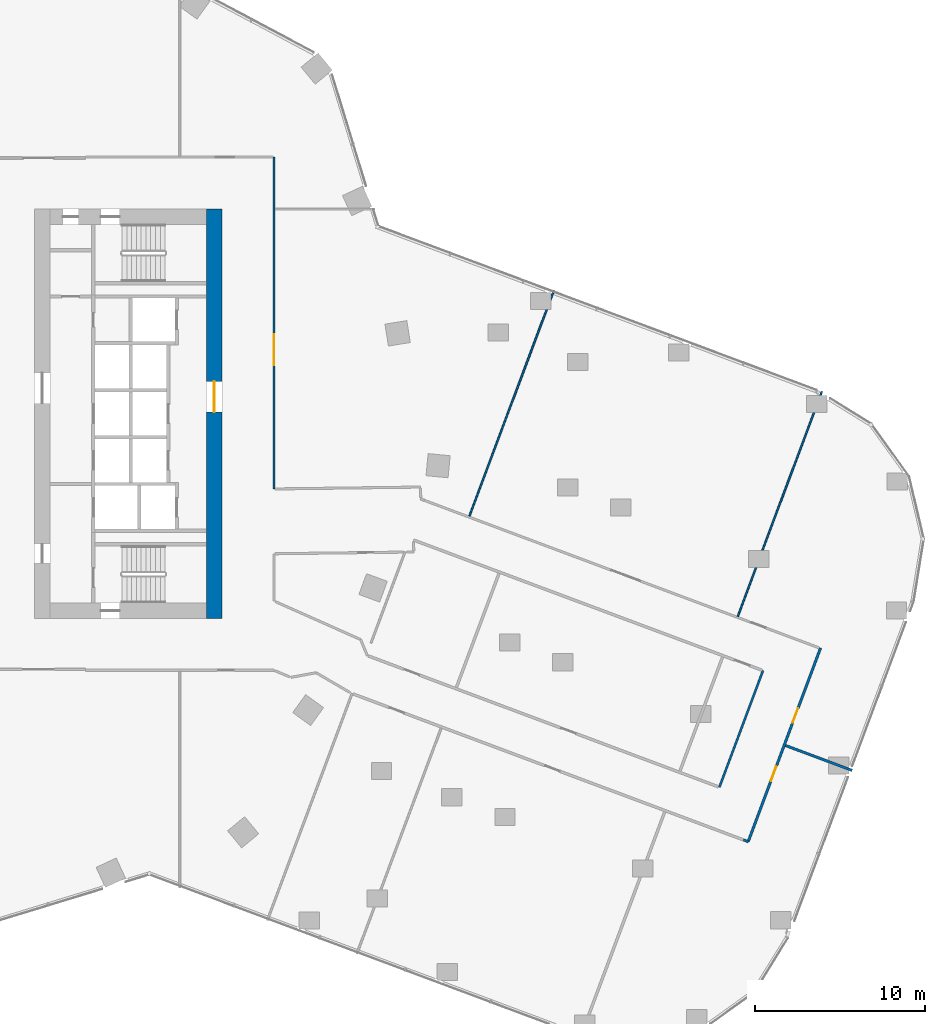
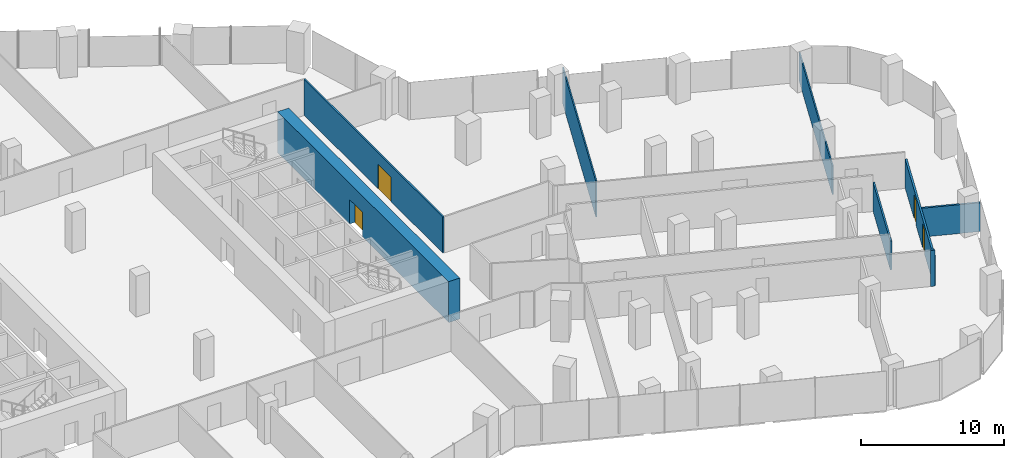
# One storey, part 27 of 31: 8 walls, 4 doors, 4 openings.
"""IFC4 building model written with IfcOpenShell, lengths in metres."""

from ifc_helpers import new_model, si_unit, direction, frame, frame_2d, origin, place, context, subcontext, project, spatial, rectangle, extrude, material, layer, layer_set, type_object, element, fill, save


model = new_model("IFC4")

# Units and contexts
model_context = context("Model", 3, precision=1e-05, world=origin(), true_north=direction((0.0, 1.0)))
body_context = subcontext(model_context, "Body", "Model", "MODEL_VIEW")
ifc_project = project(units=[si_unit("LENGTHUNIT", "METRE"), si_unit("AREAUNIT", "SQUARE_METRE"), si_unit("VOLUMEUNIT", "CUBIC_METRE"), si_unit("PLANEANGLEUNIT", "RADIAN"), si_unit("MASSUNIT", "GRAM", prefix="KILO")], contexts=[model_context])

# Site, building, storey
site_placement = place(None, origin())
site = spatial("IfcSite", under=ifc_project, at=site_placement, CompositionType="ELEMENT")
building_placement = place(site_placement, origin())
building = spatial("IfcBuilding", under=site, at=building_placement, Name="Orlundy Tower", CompositionType="ELEMENT")
storey_placement = place(building_placement, frame((0.0, 0.0, 94.699951171875)))
storey = spatial("IfcBuildingStorey", under=building, at=storey_placement, Name="L23", CompositionType="ELEMENT", Elevation=94.699951171875)

# Wall, opening, door
ifc_material_1 = material(Name="Concrete C80/95", Category="concrete")
ifc_layer_1 = layer(ifc_material_1, 0.89990234375)
ifc_layer_set_1 = layer_set([ifc_layer_1], Name="CORE WALL 900 C80/95")
wall_type_1 = type_object("IfcWallType", Name="CORE WALL 900 C80/95", PredefinedType="SHEAR", material=ifc_layer_set_1)
wall_1_placement = place(storey_placement, frame((18.550048828125, -12.0, 0.0), z_axis=(0.0, 0.0, 1.0), x_axis=(0.0, 1.0, 0.0)))
wall_1 = element("IfcWall", 1, at=wall_1_placement, inside=storey, type_object=wall_type_1, Name="Core wall E-E L23", PredefinedType="SHEAR", context=body_context, shape_type="SweptSolid", body=[
    extrude(rectangle(XDim=24.0, YDim=0.89990234375, at=frame_2d((12.0, 0.0))), origin(), (0.0, 0.0, 1.0), 3.5),
])
opening_1_placement = place(wall_1_placement, frame((12.10009765625, 0.0, 0.0)))
opening_1 = element("IfcOpeningElement", 2, at=opening_1_placement, cuts=wall_1, Name="Opening 18059", PredefinedType="OPENING", context=body_context, shape_type="SweptSolid", body=[
    extrude(rectangle(XDim=1.800048828125, YDim=2.10009765625, at=frame_2d((0.89990234375, 1.050048828125))), frame((0.0, 0.4599609375, 0.0), z_axis=(0.0, -1.0, 0.0), x_axis=(1.0, 0.0, 0.0)), (0.0, 0.0, 1.0), 0.919921875),
])
ifc_material_2 = material(Name="Timber door set", Category="wood")
door_type_1 = type_object("IfcDoorType", Name="Lobby Door 1800x2100", OperationType="DOUBLE_DOOR_DOUBLE_SWING", PredefinedType="DOOR", material=ifc_material_2)
door_1_placement = place(opening_1_placement, origin())
door_1 = element("IfcDoor", 3, at=door_1_placement, inside=storey, type_object=door_type_1, Name="Lift lobby door 18059", OperationType="SINGLE_SWING_RIGHT", OverallHeight=2.10009765625, OverallWidth=1.800048828125, PredefinedType="DOOR", context=body_context, shape_type="SweptSolid", body=[
    extrude(rectangle(XDim=1.800048828125, YDim=2.10009765625, at=frame_2d((0.89990234375, 1.050048828125))), frame((0.0, 0.02490234375, 0.0), z_axis=(0.0, -1.0, 0.0), x_axis=(1.0, 0.0, 0.0)), (0.0, 0.0, 1.0), 0.050048828125),
])
fill(opening_1, door_1)

# Walls
ifc_material_3 = material(Name="Gypsum board partition")
ifc_layer_2 = layer(ifc_material_3, 0.10009765625)
ifc_layer_set_2 = layer_set([ifc_layer_2], Name="Floor partition 100")
wall_type_2 = type_object("IfcWallType", Name="Floor partition 100", PredefinedType="PARTITIONING", material=ifc_layer_set_2)
wall_2_placement = place(storey_placement, frame((33.51611328125, -6.00390625, 0.0), z_axis=(0.0, 0.0, 1.0), x_axis=(0.350228055147, 0.936664459338, 0.0)))
element("IfcWall", 4, at=wall_2_placement, inside=storey, type_object=wall_type_2, Name="wall-int-L23-068", PredefinedType="PARTITIONING", context=body_context, shape_type="SweptSolid", body=[
    extrude(rectangle(XDim=14.13623046875, YDim=0.10009765625, at=frame_2d((7.068115234375, 0.0))), origin(), (0.0, 0.0, 1.0), 3.080078125),
])
ifc_material_4 = material(Name="Gypsum board partition")
ifc_layer_3 = layer(ifc_material_4, 0.10009765625)
ifc_layer_set_3 = layer_set([ifc_layer_3], Name="Floor partition 100 B")
wall_type_3 = type_object("IfcWallType", Name="Floor partition 100 B", PredefinedType="PARTITIONING", material=ifc_layer_set_3)
wall_3_placement = place(storey_placement, frame((49.256103515625, -11.888916015625, 0.0), z_axis=(0.0, 0.0, 1.0), x_axis=(0.35014670301, 0.936694873676, 0.0)))
element("IfcWall", 5, at=wall_3_placement, inside=storey, type_object=wall_type_3, Name="wall-int-L23-065", PredefinedType="PARTITIONING", context=body_context, shape_type="SweptSolid", body=[
    extrude(rectangle(XDim=14.08251953125, YDim=0.10009765625, at=frame_2d((7.041259765625, 0.0))), origin(), (0.0, 0.0, 1.0), 2.445068359375),
])

# Wall, opening, door
ifc_material_5 = material(Name="Gypsum board partition, double layer")
ifc_layer_4 = layer(ifc_material_5, 0.125)
ifc_layer_set_4 = layer_set([ifc_layer_4], Name="Floor partition 125")
wall_type_4 = type_object("IfcWallType", Name="Floor partition 125", PredefinedType="PARTITIONING", material=ifc_layer_set_4)
wall_4_placement = place(storey_placement, frame((22.051025390625, 15.050048828125, 0.0), z_axis=(0.0, 0.0, 1.0), x_axis=(0.0, -1.0, 0.0)))
wall_4 = element("IfcWall", 6, at=wall_4_placement, inside=storey, type_object=wall_type_4, Name="wall-int-L23-076", PredefinedType="PARTITIONING", context=body_context, shape_type="SweptSolid", body=[
    extrude(rectangle(XDim=19.464111328125, YDim=0.125, at=frame_2d((9.73193359375, 0.0))), origin(), (0.0, 0.0, 1.0), 3.080078125),
])
opening_2_placement = place(wall_4_placement, frame((10.39990234375, 0.0, 0.0)))
opening_2 = element("IfcOpeningElement", 7, at=opening_2_placement, cuts=wall_4, Name="Opening 18130", PredefinedType="OPENING", context=body_context, shape_type="SweptSolid", body=[
    extrude(rectangle(XDim=1.800048828125, YDim=2.10009765625, at=frame_2d((0.89990234375, 1.050048828125))), frame((0.0, 0.072509765625, 0.0), z_axis=(0.0, -1.0, 0.0), x_axis=(1.0, 0.0, 0.0)), (0.0, 0.0, 1.0), 0.14501953125),
])
ifc_material_6 = material(Name="Timber door leaf", Category="wood")
door_type_2 = type_object("IfcDoorType", Name="Floor door double 1800 FD30S", OperationType="NOTDEFINED", PredefinedType="DOOR", material=ifc_material_6)
door_2_placement = place(opening_2_placement, origin())
door_2 = element("IfcDoor", 8, at=door_2_placement, inside=storey, type_object=door_type_2, Name="Door 18130", OperationType="DOUBLE_DOOR_SINGLE_SWING", OverallHeight=2.10009765625, OverallWidth=1.800048828125, PredefinedType="DOOR", context=body_context, shape_type="SweptSolid", body=[
    extrude(rectangle(XDim=1.800048828125, YDim=2.10009765625, at=frame_2d((0.89990234375, 1.050048828125))), frame((0.0, 0.02490234375, 0.0), z_axis=(0.0, -1.0, 0.0), x_axis=(1.0, 0.0, 0.0)), (0.0, 0.0, 1.0), 0.050048828125),
])
fill(opening_2, door_2)

# Walls
ifc_material_7 = material(Name="Gypsum board partition, double layer")
ifc_layer_5 = layer(ifc_material_7, 0.125)
ifc_layer_set_5 = layer_set([ifc_layer_5], Name="Floor partition 125 B")
wall_type_5 = type_object("IfcWallType", Name="Floor partition 125 B", PredefinedType="PARTITIONING", material=ifc_layer_set_5)
wall_5_placement = place(storey_placement, frame((48.177978515625, -21.908935546875, 0.0), z_axis=(0.0, 0.0, 1.0), x_axis=(0.350170212359, 0.93668608529, 0.0)))
element("IfcWall", 9, at=wall_5_placement, inside=storey, type_object=wall_type_5, Name="wall-int-L23-062", PredefinedType="PARTITIONING", context=body_context, shape_type="SweptSolid", body=[
    extrude(rectangle(XDim=7.299072265625, YDim=0.125, at=frame_2d((3.6494140625, 0.0))), origin(), (0.0, 0.0, 1.0), 2.468994140625),
])
ifc_material_8 = material(Name="Blockwork shaft wall", Category="masonry")
ifc_layer_6 = layer(ifc_material_8, 0.14990234375)
ifc_layer_set_6 = layer_set([ifc_layer_6], Name="Floor shaft wall 150")
wall_type_6 = type_object("IfcWallType", Name="Floor shaft wall 150", PredefinedType="PARTITIONING", material=ifc_layer_set_6)
wall_6_placement = place(storey_placement, frame((49.5869140625, -24.9990234375, 0.0), z_axis=(0.0, 0.0, 1.0), x_axis=(0.93595848705, -0.352110366957, 0.0)))
element("IfcWall", 10, at=wall_6_placement, inside=storey, type_object=wall_type_6, Name="wall-int-L23-022", PredefinedType="PARTITIONING", context=body_context, shape_type="SweptSolid", body=[
    extrude(rectangle(XDim=0.298095703125, YDim=0.14990234375, at=frame_2d((0.14892578125, 0.0))), origin(), (0.0, 0.0, 1.0), 3.080078125),
])
ifc_material_9 = material(Name="Blockwork shaft wall", Category="masonry")
ifc_layer_7 = layer(ifc_material_9, 0.14990234375)
ifc_layer_set_7 = layer_set([ifc_layer_7], Name="Floor shaft wall 150 B")
wall_type_7 = type_object("IfcWallType", Name="Floor shaft wall 150 B", PredefinedType="PARTITIONING", material=ifc_layer_set_7)
wall_7_placement = place(storey_placement, frame((52.055908203125, -19.462890625, 0.0), z_axis=(0.0, 0.0, 1.0), x_axis=(0.936655632934, -0.350251659943, 0.0)))
element("IfcWall", 11, at=wall_7_placement, inside=storey, type_object=wall_type_7, Name="wall-int-L23-025", PredefinedType="PARTITIONING", context=body_context, shape_type="SweptSolid", body=[
    extrude(rectangle(XDim=4.174560546875, YDim=0.14990234375, at=frame_2d((2.08740234375, 0.0))), origin(), (0.0, 0.0, 1.0), 2.468994140625),
])

# Wall, openings, doors
wall_8_placement = place(storey_placement, frame((54.113037109375, -13.740966796875, 0.0), z_axis=(0.0, 0.0, 1.0), x_axis=(-0.350035835617, -0.936736309632, 0.0)))
wall_8 = element("IfcWall", 12, at=wall_8_placement, inside=storey, type_object=wall_type_7, Name="wall-int-L23-061", PredefinedType="PARTITIONING", context=body_context, shape_type="SweptSolid", body=[
    extrude(rectangle(XDim=12.13037109375, YDim=0.14990234375, at=frame_2d((6.065185546875, 0.0))), origin(), (0.0, 0.0, 1.0), 2.468994140625),
])
opening_3_placement = place(wall_8_placement, frame((3.77978515625, 0.0, 0.0)))
opening_3 = element("IfcOpeningElement", 13, at=opening_3_placement, cuts=wall_8, Name="Opening 18105", PredefinedType="OPENING", context=body_context, shape_type="SweptSolid", body=[
    extrude(rectangle(XDim=0.89990234375, YDim=2.10009765625, at=frame_2d((0.449951171875, 1.050048828125))), frame((0.0, 0.0849609375, 0.0), z_axis=(0.0, -1.0, 0.0), x_axis=(1.0, 0.0, 0.0)), (0.0, 0.0, 1.0), 0.169921875),
])
opening_4_placement = place(wall_8_placement, frame((7.429931640625, 0.0, 0.0)))
opening_4 = element("IfcOpeningElement", 14, at=opening_4_placement, cuts=wall_8, Name="Opening 18106", PredefinedType="OPENING", context=body_context, shape_type="SweptSolid", body=[
    extrude(rectangle(XDim=0.89990234375, YDim=2.10009765625, at=frame_2d((0.449951171875, 1.050048828125))), frame((0.0, 0.0849609375, 0.0), z_axis=(0.0, -1.0, 0.0), x_axis=(1.0, 0.0, 0.0)), (0.0, 0.0, 1.0), 0.169921875),
])
ifc_material_10 = material(Name="Timber door leaf", Category="wood")
door_type_3 = type_object("IfcDoorType", Name="Floor door single 900 FD60", OperationType="NOTDEFINED", PredefinedType="DOOR", material=ifc_material_10)
door_3_placement = place(opening_3_placement, origin())
door_3 = element("IfcDoor", 15, at=door_3_placement, inside=storey, type_object=door_type_3, Name="Door 18105", OperationType="SINGLE_SWING_LEFT", OverallHeight=2.10009765625, OverallWidth=0.89990234375, PredefinedType="DOOR", context=body_context, shape_type="SweptSolid", body=[
    extrude(rectangle(XDim=0.89990234375, YDim=2.10009765625, at=frame_2d((0.449951171875, 1.050048828125))), frame((0.0, 0.02490234375, 0.0), z_axis=(0.0, -1.0, 0.0), x_axis=(1.0, 0.0, 0.0)), (0.0, 0.0, 1.0), 0.050048828125),
])
fill(opening_3, door_3)
door_4_placement = place(opening_4_placement, origin())
door_4 = element("IfcDoor", 16, at=door_4_placement, inside=storey, type_object=door_type_3, Name="Door 18106", OperationType="SINGLE_SWING_RIGHT", OverallHeight=2.10009765625, OverallWidth=0.89990234375, PredefinedType="DOOR", context=body_context, shape_type="SweptSolid", body=[
    extrude(rectangle(XDim=0.89990234375, YDim=2.10009765625, at=frame_2d((0.449951171875, 1.050048828125))), frame((0.0, 0.02490234375, 0.0), z_axis=(0.0, -1.0, 0.0), x_axis=(1.0, 0.0, 0.0)), (0.0, 0.0, 1.0), 0.050048828125),
])
fill(opening_4, door_4)

save(model, "model.ifc")
